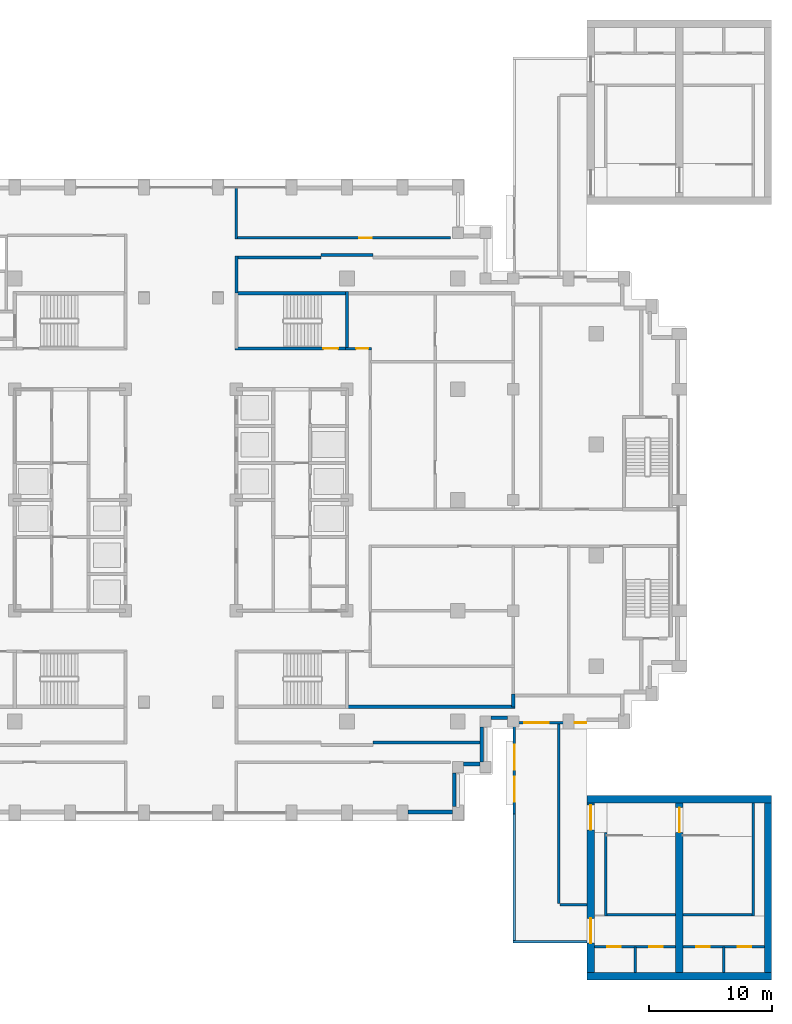
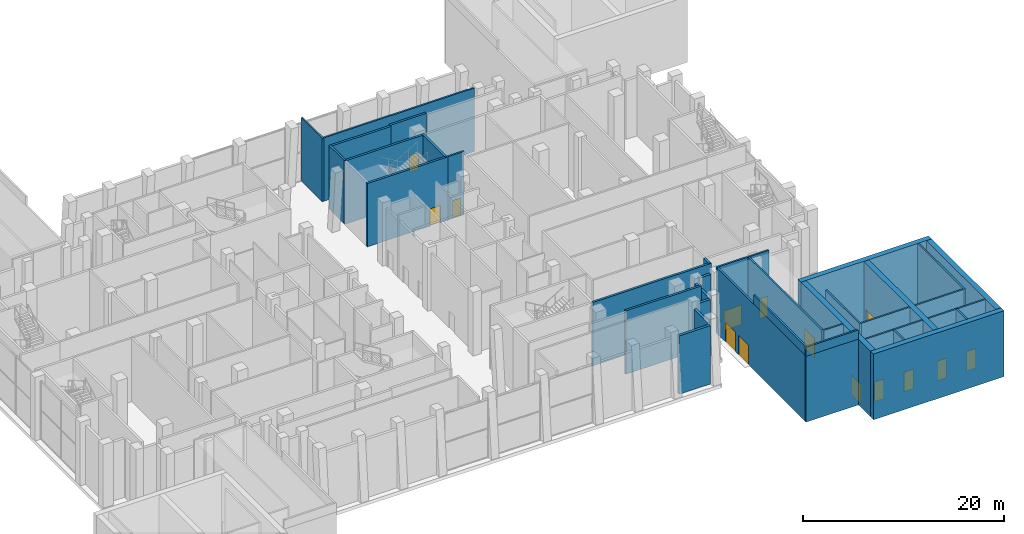
# One storey, part 14 of 24: 37 walls, 14 doors, 14 openings.
"""IFC4 building model written with IfcOpenShell, lengths in metres."""

from ifc_helpers import new_model, si_unit, direction, frame, frame_2d, origin, place, context, subcontext, project, spatial, rectangle, extrude, material, layer, layer_set, type_object, element, fill, save


model = new_model("IFC4")

# Units and contexts
model_context = context("Model", 3, precision=1e-05, world=origin(), true_north=direction((0.0, 1.0)))
body_context = subcontext(model_context, "Body", "Model", "MODEL_VIEW")
ifc_project = project(units=[si_unit("LENGTHUNIT", "METRE"), si_unit("AREAUNIT", "SQUARE_METRE"), si_unit("VOLUMEUNIT", "CUBIC_METRE"), si_unit("PLANEANGLEUNIT", "RADIAN"), si_unit("MASSUNIT", "GRAM", prefix="KILO")], contexts=[model_context])

# Site, building, storey
site_placement = place(None, origin())
site = spatial("IfcSite", under=ifc_project, at=site_placement, CompositionType="ELEMENT")
building_placement = place(site_placement, origin())
building = spatial("IfcBuilding", under=site, at=building_placement, Name="Corbelhall Arena Tower", CompositionType="ELEMENT")
storey_placement = place(building_placement, frame((0.0, 0.0, 60.0)))
storey = spatial("IfcBuildingStorey", under=building, at=storey_placement, Name="L08", CompositionType="ELEMENT", Elevation=60.0)

# Walls
ifc_material_1 = material(Name="Concrete C80/95", Category="concrete")
ifc_layer_1 = layer(ifc_material_1, 0.60009765625)
ifc_layer_set_1 = layer_set([ifc_layer_1], Name="AR-CORE-WALL-L08")
wall_type_1 = type_object("IfcWallType", Name="AR-CORE-WALL-L08", PredefinedType="SHEAR", material=ifc_layer_set_1)
for number, where, z_axis, x_axis, name in (
    (1, (33.0, -38.699951171875, 0.0), (0.0, 0.0, 1.0), (1.0, 0.0, 0.0), "Core SE wall"),
    (2, (33.0, -24.300048828125, 0.0), (0.0, 0.0, 1.0), (1.0, 0.0, 0.0), "Core SE wall"),
):
    element("IfcWall", number, at=place(storey_placement, frame(where, z_axis=z_axis, x_axis=x_axis)), inside=storey, type_object=wall_type_1, Name=name, PredefinedType="SHEAR", context=body_context, shape_type="SweptSolid", body=[
        extrude(rectangle(XDim=15.0, YDim=0.60009765625, at=frame_2d((7.5, 0.0))), origin(), (0.0, 0.0, 1.0), 8.0),
    ])

# Wall, openings, doors
wall_1_placement = place(storey_placement, frame((33.300048828125, -38.39990234375, 0.0), z_axis=(0.0, 0.0, 1.0), x_axis=(0.0, 1.0, 0.0)))
wall_1 = element("IfcWall", 3, at=wall_1_placement, inside=storey, type_object=wall_type_1, Name="Core SE wall", PredefinedType="SHEAR", context=body_context, shape_type="SweptSolid", body=[
    extrude(rectangle(XDim=13.7998046875, YDim=0.60009765625, at=frame_2d((6.89990234375, 0.0))), origin(), (0.0, 0.0, 1.0), 8.0),
])
opening_1_placement = place(wall_1_placement, frame((2.39990234375, 0.0, 0.0)))
opening_1 = element("IfcOpeningElement", 4, at=opening_1_placement, cuts=wall_1, Name="Opening DA0309", PredefinedType="OPENING", context=body_context, shape_type="SweptSolid", body=[
    extrude(rectangle(XDim=2.0, YDim=2.39990234375, at=frame_2d((1.0, 1.199951171875))), frame((0.0, 0.300048828125, 0.0), z_axis=(0.0, -1.0, 0.0), x_axis=(1.0, 0.0, 0.0)), (0.0, 0.0, 1.0), 0.60009765625),
])
opening_2_placement = place(wall_1_placement, frame((11.60009765625, 0.0, 0.0)))
opening_2 = element("IfcOpeningElement", 5, at=opening_2_placement, cuts=wall_1, Name="Opening DA0310", PredefinedType="OPENING", context=body_context, shape_type="SweptSolid", body=[
    extrude(rectangle(XDim=2.0, YDim=2.39990234375, at=frame_2d((1.0, 1.199951171875))), frame((0.0, 0.300048828125, 0.0), z_axis=(0.0, -1.0, 0.0), x_axis=(1.0, 0.0, 0.0)), (0.0, 0.0, 1.0), 0.60009765625),
])
ifc_material_2 = material(Name="Steel and glass", Category="steel")
door_type_1 = type_object("IfcDoorType", Name="AR-EXIT-DOOR", OperationType="DOUBLE_DOOR_SINGLE_SWING", PredefinedType="DOOR", material=ifc_material_2)
door_1_placement = place(opening_1_placement, origin())
door_1 = element("IfcDoor", 6, at=door_1_placement, inside=storey, type_object=door_type_1, Name="Core SE lobby door", OperationType="DOUBLE_DOOR_SINGLE_SWING", OverallHeight=2.39990234375, OverallWidth=2.0, PredefinedType="DOOR", context=body_context, shape_type="SweptSolid", body=[
    extrude(rectangle(XDim=2.0, YDim=2.39990234375, at=frame_2d((1.0, 1.199951171875))), frame((0.0, 0.02490234375, 0.0), z_axis=(0.0, -1.0, 0.0), x_axis=(1.0, 0.0, 0.0)), (0.0, 0.0, 1.0), 0.050048828125),
])
fill(opening_1, door_1)
door_2_placement = place(opening_2_placement, origin())
door_2 = element("IfcDoor", 7, at=door_2_placement, inside=storey, type_object=door_type_1, Name="Core SE stair door", OperationType="DOUBLE_DOOR_SINGLE_SWING", OverallHeight=2.39990234375, OverallWidth=2.0, PredefinedType="DOOR", context=body_context, shape_type="SweptSolid", body=[
    extrude(rectangle(XDim=2.0, YDim=2.39990234375, at=frame_2d((1.0, 1.199951171875))), frame((0.0, 0.02490234375, 0.0), z_axis=(0.0, -1.0, 0.0), x_axis=(1.0, 0.0, 0.0)), (0.0, 0.0, 1.0), 0.050048828125),
])
fill(opening_2, door_2)

# Wall
wall_2_placement = place(storey_placement, frame((47.699951171875, -38.39990234375, 0.0), z_axis=(0.0, 0.0, 1.0), x_axis=(0.0, 1.0, 0.0)))
element("IfcWall", 8, at=wall_2_placement, inside=storey, type_object=wall_type_1, Name="Core SE wall", PredefinedType="SHEAR", context=body_context, shape_type="SweptSolid", body=[
    extrude(rectangle(XDim=13.7998046875, YDim=0.60009765625, at=frame_2d((6.89990234375, 0.0))), origin(), (0.0, 0.0, 1.0), 8.0),
])

# Wall, opening, door
wall_3_placement = place(storey_placement, frame((40.5, -38.39990234375, 0.0), z_axis=(0.0, 0.0, 1.0), x_axis=(0.0, 1.0, 0.0)))
wall_3 = element("IfcWall", 9, at=wall_3_placement, inside=storey, type_object=wall_type_1, Name="Core SE wall", PredefinedType="SHEAR", context=body_context, shape_type="SweptSolid", body=[
    extrude(rectangle(XDim=13.7998046875, YDim=0.60009765625, at=frame_2d((6.89990234375, 0.0))), origin(), (0.0, 0.0, 1.0), 8.0),
])
opening_3_placement = place(wall_3_placement, frame((11.39990234375, 0.0, 0.0)))
opening_3 = element("IfcOpeningElement", 10, at=opening_3_placement, cuts=wall_3, Name="Opening DA0051", PredefinedType="OPENING", context=body_context, shape_type="SweptSolid", body=[
    extrude(rectangle(XDim=2.0, YDim=2.39990234375, at=frame_2d((1.0, 1.199951171875))), frame((0.0, 0.300048828125, 0.0), z_axis=(0.0, -1.0, 0.0), x_axis=(1.0, 0.0, 0.0)), (0.0, 0.0, 1.0), 0.60009765625),
])
door_3_placement = place(opening_3_placement, origin())
door_3 = element("IfcDoor", 11, at=door_3_placement, inside=storey, type_object=door_type_1, Name="Stair hall door SE", OperationType="DOUBLE_DOOR_SINGLE_SWING", OverallHeight=2.39990234375, OverallWidth=2.0, PredefinedType="DOOR", context=body_context, shape_type="SweptSolid", body=[
    extrude(rectangle(XDim=2.0, YDim=2.39990234375, at=frame_2d((1.0, 1.199951171875))), frame((0.0, 0.02490234375, 0.0), z_axis=(0.0, -1.0, 0.0), x_axis=(1.0, 0.0, 0.0)), (0.0, 0.0, 1.0), 0.050048828125),
])
fill(opening_3, door_3)

# Wall, openings, doors
ifc_material_3 = material(Name="Reinforced concrete C40/50", Category="concrete")
ifc_layer_2 = layer(ifc_material_3, 0.199951171875)
ifc_layer_set_2 = layer_set([ifc_layer_2], Name="AR-LINK-WALL")
wall_type_2 = type_object("IfcWallType", Name="AR-LINK-WALL", PredefinedType="SOLIDWALL", material=ifc_layer_set_2)
wall_4_placement = place(storey_placement, frame((27.10009765625, -35.89990234375, 0.0), z_axis=(0.0, 0.0, 1.0), x_axis=(0.0, 1.0, 0.0)))
wall_4 = element("IfcWall", 12, at=wall_4_placement, inside=storey, type_object=wall_type_2, Name="Gallery LK3 wall", PredefinedType="SOLIDWALL", context=body_context, shape_type="SweptSolid", body=[
    extrude(rectangle(XDim=17.7998046875, YDim=0.199951171875, at=frame_2d((8.89990234375, 0.0))), origin(), (0.0, 0.0, 1.0), 8.0),
])
opening_4_placement = place(wall_4_placement, frame((14.0, 0.0, 0.0)))
opening_4 = element("IfcOpeningElement", 13, at=opening_4_placement, cuts=wall_4, Name="Opening DA0307", PredefinedType="OPENING", context=body_context, shape_type="SweptSolid", body=[
    extrude(rectangle(XDim=2.0, YDim=2.39990234375, at=frame_2d((1.0, 1.199951171875))), frame((0.0, 0.10009765625, 0.0), z_axis=(0.0, -1.0, 0.0), x_axis=(1.0, 0.0, 0.0)), (0.0, 0.0, 1.0), 0.199951171875),
])
opening_5_placement = place(wall_4_placement, frame((11.39990234375, 0.0, 0.0)))
opening_5 = element("IfcOpeningElement", 14, at=opening_5_placement, cuts=wall_4, Name="Opening DA0308", PredefinedType="OPENING", context=body_context, shape_type="SweptSolid", body=[
    extrude(rectangle(XDim=2.0, YDim=2.39990234375, at=frame_2d((1.0, 1.199951171875))), frame((0.0, 0.10009765625, 0.0), z_axis=(0.0, -1.0, 0.0), x_axis=(1.0, 0.0, 0.0)), (0.0, 0.0, 1.0), 0.199951171875),
])
door_4_placement = place(opening_4_placement, origin())
door_4 = element("IfcDoor", 15, at=door_4_placement, inside=storey, type_object=door_type_1, Name="Gallery LK3 plate door 1", OperationType="DOUBLE_DOOR_SINGLE_SWING", OverallHeight=2.39990234375, OverallWidth=2.0, PredefinedType="DOOR", context=body_context, shape_type="SweptSolid", body=[
    extrude(rectangle(XDim=2.0, YDim=2.39990234375, at=frame_2d((1.0, 1.199951171875))), frame((0.0, 0.02490234375, 0.0), z_axis=(0.0, -1.0, 0.0), x_axis=(1.0, 0.0, 0.0)), (0.0, 0.0, 1.0), 0.050048828125),
])
fill(opening_4, door_4)
door_5_placement = place(opening_5_placement, origin())
door_5 = element("IfcDoor", 16, at=door_5_placement, inside=storey, type_object=door_type_1, Name="Gallery LK3 plate door 2", OperationType="DOUBLE_DOOR_SINGLE_SWING", OverallHeight=2.39990234375, OverallWidth=2.0, PredefinedType="DOOR", context=body_context, shape_type="SweptSolid", body=[
    extrude(rectangle(XDim=2.0, YDim=2.39990234375, at=frame_2d((1.0, 1.199951171875))), frame((0.0, 0.02490234375, 0.0), z_axis=(0.0, -1.0, 0.0), x_axis=(1.0, 0.0, 0.0)), (0.0, 0.0, 1.0), 0.050048828125),
])
fill(opening_5, door_5)

# Walls
wall_5_placement = place(storey_placement, frame((30.699951171875, -32.800048828125, 0.0), z_axis=(0.0, 0.0, 1.0), x_axis=(0.0, 1.0, 0.0)))
element("IfcWall", 17, at=wall_5_placement, inside=storey, type_object=wall_type_2, Name="Gallery LK3 wall", PredefinedType="SOLIDWALL", context=body_context, shape_type="SweptSolid", body=[
    extrude(rectangle(XDim=14.800048828125, YDim=0.199951171875, at=frame_2d((7.39990234375, 0.0))), origin(), (0.0, 0.0, 1.0), 8.0),
])
wall_6_placement = place(storey_placement, frame((30.800048828125, -32.89990234375, 0.0), z_axis=(0.0, 0.0, 1.0), x_axis=(1.0, 0.0, 0.0)))
element("IfcWall", 18, at=wall_6_placement, inside=storey, type_object=wall_type_2, Name="Gallery LK3 wall", PredefinedType="SOLIDWALL", context=body_context, shape_type="SweptSolid", body=[
    extrude(rectangle(XDim=2.199951171875, YDim=0.199951171875, at=frame_2d((1.10009765625, 0.0))), origin(), (0.0, 0.0, 1.0), 8.0),
])
wall_7_placement = place(storey_placement, frame((27.0, -35.89990234375, 0.0), z_axis=(0.0, 0.0, 1.0), x_axis=(1.0, 0.0, 0.0)))
element("IfcWall", 19, at=wall_7_placement, inside=storey, type_object=wall_type_2, Name="Gallery LK3 wall", PredefinedType="SOLIDWALL", context=body_context, shape_type="SweptSolid", body=[
    extrude(rectangle(XDim=6.0, YDim=0.199951171875, at=frame_2d((3.0, 0.0))), origin(), (0.0, 0.0, 1.0), 8.0),
])

# Wall, openings, doors
wall_8_placement = place(storey_placement, frame((27.0, -18.10009765625, 0.0), z_axis=(0.0, 0.0, 1.0), x_axis=(1.0, 0.0, 0.0)))
wall_8 = element("IfcWall", 20, at=wall_8_placement, inside=storey, type_object=wall_type_2, Name="Gallery LK3 end wall", PredefinedType="SOLIDWALL", context=body_context, shape_type="SweptSolid", body=[
    extrude(rectangle(XDim=6.0, YDim=0.199951171875, at=frame_2d((3.0, 0.0))), origin(), (0.0, 0.0, 1.0), 8.0),
])
opening_6_placement = place(wall_8_placement, frame((0.89990234375, 0.0, 0.0)))
opening_6 = element("IfcOpeningElement", 21, at=opening_6_placement, cuts=wall_8, Name="Opening DA0305", PredefinedType="OPENING", context=body_context, shape_type="SweptSolid", body=[
    extrude(rectangle(XDim=2.0, YDim=2.39990234375, at=frame_2d((1.0, 1.199951171875))), frame((0.0, 0.10009765625, 0.0), z_axis=(0.0, -1.0, 0.0), x_axis=(1.0, 0.0, 0.0)), (0.0, 0.0, 1.0), 0.199951171875),
])
opening_7_placement = place(wall_8_placement, frame((4.97998046875, 0.0, 0.0)))
opening_7 = element("IfcOpeningElement", 22, at=opening_7_placement, cuts=wall_8, Name="Opening DA0306", PredefinedType="OPENING", context=body_context, shape_type="SweptSolid", body=[
    extrude(rectangle(XDim=0.949951171875, YDim=2.39990234375, at=frame_2d((0.47509765625, 1.199951171875))), frame((0.0, 0.10009765625, 0.0), z_axis=(0.0, -1.0, 0.0), x_axis=(1.0, 0.0, 0.0)), (0.0, 0.0, 1.0), 0.199951171875),
])
door_6_placement = place(opening_6_placement, origin())
door_6 = element("IfcDoor", 23, at=door_6_placement, inside=storey, type_object=door_type_1, Name="Gallery LK3 public door", OperationType="DOUBLE_DOOR_SINGLE_SWING", OverallHeight=2.39990234375, OverallWidth=2.0, PredefinedType="DOOR", context=body_context, shape_type="SweptSolid", body=[
    extrude(rectangle(XDim=2.0, YDim=2.39990234375, at=frame_2d((1.0, 1.199951171875))), frame((0.0, 0.02490234375, 0.0), z_axis=(0.0, -1.0, 0.0), x_axis=(1.0, 0.0, 0.0)), (0.0, 0.0, 1.0), 0.050048828125),
])
fill(opening_6, door_6)
ifc_material_4 = material(Name="Steel door set", Category="steel")
door_type_2 = type_object("IfcDoorType", Name="AR-EXIT-DOOR-1", OperationType="SINGLE_SWING_LEFT", PredefinedType="DOOR", material=ifc_material_4)
door_7_placement = place(opening_7_placement, origin())
door_7 = element("IfcDoor", 24, at=door_7_placement, inside=storey, type_object=door_type_2, Name="Gallery LK3 exit door", OperationType="SINGLE_SWING_LEFT", OverallHeight=2.39990234375, OverallWidth=0.949951171875, PredefinedType="DOOR", context=body_context, shape_type="SweptSolid", body=[
    extrude(rectangle(XDim=0.949951171875, YDim=2.39990234375, at=frame_2d((0.47509765625, 1.199951171875))), frame((0.0, 0.02490234375, 0.0), z_axis=(0.0, -1.0, 0.0), x_axis=(1.0, 0.0, 0.0)), (0.0, 0.0, 1.0), 0.050048828125),
])
fill(opening_7, door_7)

# Walls
ifc_layer_3 = layer(ifc_material_3, 0.199951171875)
ifc_layer_set_3 = layer_set([ifc_layer_3], Name="AR-PARAPET")
wall_type_3 = type_object("IfcWallType", Name="AR-PARAPET", PredefinedType="PARAPET", material=ifc_layer_set_3)
wall_9_placement = place(storey_placement, frame((27.0, -35.89990234375, 8.0), z_axis=(0.0, 0.0, 1.0), x_axis=(1.0, 0.0, 0.0)))
element("IfcWall", 25, at=wall_9_placement, inside=storey, type_object=wall_type_3, Name="Gallery LK3 parapet", PredefinedType="PARAPET", context=body_context, shape_type="SweptSolid", body=[
    extrude(rectangle(XDim=6.0, YDim=0.199951171875, at=frame_2d((3.0, 0.0))), origin(), (0.0, 0.0, 1.0), 1.10009765625),
])
wall_10_placement = place(storey_placement, frame((27.10009765625, -35.800048828125, 8.0), z_axis=(0.0, 0.0, 1.0), x_axis=(0.0, 1.0, 0.0)))
element("IfcWall", 26, at=wall_10_placement, inside=storey, type_object=wall_type_3, Name="Gallery LK3 parapet", PredefinedType="PARAPET", context=body_context, shape_type="SweptSolid", body=[
    extrude(rectangle(XDim=10.300048828125, YDim=0.199951171875, at=frame_2d((5.14990234375, 0.0))), origin(), (0.0, 0.0, 1.0), 1.10009765625),
])

# Wall, openings, doors
ifc_layer_4 = layer(ifc_material_3, 0.199951171875)
ifc_layer_set_4 = layer_set([ifc_layer_4], Name="AR-SHAFT-WALL")
wall_type_4 = type_object("IfcWallType", Name="AR-SHAFT-WALL", PredefinedType="SHEAR", material=ifc_layer_set_4)
wall_11_placement = place(storey_placement, frame((33.60009765625, -36.300048828125, 0.0), z_axis=(0.0, 0.0, 1.0), x_axis=(1.0, 0.0, 0.0)))
wall_11 = element("IfcWall", 27, at=wall_11_placement, inside=storey, type_object=wall_type_4, Name="Lift lobby wall SE", PredefinedType="SHEAR", context=body_context, shape_type="SweptSolid", body=[
    extrude(rectangle(XDim=6.599853515625, YDim=0.199951171875, at=frame_2d((3.2998046875, 0.0))), origin(), (0.0, 0.0, 1.0), 8.0),
])
opening_8_placement = place(wall_11_placement, frame((1.050048828125, 0.0, 0.0)))
opening_8 = element("IfcOpeningElement", 28, at=opening_8_placement, cuts=wall_11, Name="Opening LD0245", PredefinedType="OPENING", context=body_context, shape_type="SweptSolid", body=[
    extrude(rectangle(XDim=1.10009765625, YDim=2.39990234375, at=frame_2d((0.550048828125, 1.199951171875))), frame((0.0, 0.10009765625, 0.0), z_axis=(0.0, -1.0, 0.0), x_axis=(1.0, 0.0, 0.0)), (0.0, 0.0, 1.0), 0.199951171875),
])
opening_9_placement = place(wall_11_placement, frame((4.449951171875, 0.0, 0.0)))
opening_9 = element("IfcOpeningElement", 29, at=opening_9_placement, cuts=wall_11, Name="Opening LD0246", PredefinedType="OPENING", context=body_context, shape_type="SweptSolid", body=[
    extrude(rectangle(XDim=1.10009765625, YDim=2.39990234375, at=frame_2d((0.550048828125, 1.199951171875))), frame((0.0, 0.10009765625, 0.0), z_axis=(0.0, -1.0, 0.0), x_axis=(1.0, 0.0, 0.0)), (0.0, 0.0, 1.0), 0.199951171875),
])
ifc_material_5 = material(Name="Stainless steel A4", Category="steel")
door_type_3 = type_object("IfcDoorType", Name="AR-LANDING-DOOR", OperationType="DOUBLE_DOOR_SLIDING", PredefinedType="DOOR", material=ifc_material_5)
door_8_placement = place(opening_8_placement, frame((1.10009765625, 0.0, 0.0), z_axis=(0.0, 0.0, 1.0), x_axis=(-1.0, 0.0, 0.0)))
door_8 = element("IfcDoor", 30, at=door_8_placement, inside=storey, type_object=door_type_3, Name="Landing door SE LF1 L08", OperationType="DOUBLE_DOOR_SLIDING", OverallHeight=2.39990234375, OverallWidth=1.10009765625, PredefinedType="DOOR", context=body_context, shape_type="SweptSolid", body=[
    extrude(rectangle(XDim=1.10009765625, YDim=2.39990234375, at=frame_2d((0.550048828125, 1.199951171875))), frame((0.0, 0.02490234375, 0.0), z_axis=(0.0, -1.0, 0.0), x_axis=(1.0, 0.0, 0.0)), (0.0, 0.0, 1.0), 0.050048828125),
])
fill(opening_8, door_8)
door_9_placement = place(opening_9_placement, frame((1.10009765625, 0.0, 0.0), z_axis=(0.0, 0.0, 1.0), x_axis=(-1.0, 0.0, 0.0)))
door_9 = element("IfcDoor", 31, at=door_9_placement, inside=storey, type_object=door_type_3, Name="Landing door SE LF2 L08", OperationType="DOUBLE_DOOR_SLIDING", OverallHeight=2.39990234375, OverallWidth=1.10009765625, PredefinedType="DOOR", context=body_context, shape_type="SweptSolid", body=[
    extrude(rectangle(XDim=1.10009765625, YDim=2.39990234375, at=frame_2d((0.550048828125, 1.199951171875))), frame((0.0, 0.02490234375, 0.0), z_axis=(0.0, -1.0, 0.0), x_axis=(1.0, 0.0, 0.0)), (0.0, 0.0, 1.0), 0.050048828125),
])
fill(opening_9, door_9)

wall_12_placement = place(storey_placement, frame((40.800048828125, -36.300048828125, 0.0), z_axis=(0.0, 0.0, 1.0), x_axis=(1.0, 0.0, 0.0)))
wall_12 = element("IfcWall", 32, at=wall_12_placement, inside=storey, type_object=wall_type_4, Name="Lift lobby wall SE", PredefinedType="SHEAR", context=body_context, shape_type="SweptSolid", body=[
    extrude(rectangle(XDim=6.599853515625, YDim=0.199951171875, at=frame_2d((3.2998046875, 0.0))), origin(), (0.0, 0.0, 1.0), 8.0),
])
opening_10_placement = place(wall_12_placement, frame((1.050048828125, 0.0, 0.0)))
opening_10 = element("IfcOpeningElement", 33, at=opening_10_placement, cuts=wall_12, Name="Opening LD0247", PredefinedType="OPENING", context=body_context, shape_type="SweptSolid", body=[
    extrude(rectangle(XDim=1.10009765625, YDim=2.39990234375, at=frame_2d((0.550048828125, 1.199951171875))), frame((0.0, 0.10009765625, 0.0), z_axis=(0.0, -1.0, 0.0), x_axis=(1.0, 0.0, 0.0)), (0.0, 0.0, 1.0), 0.199951171875),
])
opening_11_placement = place(wall_12_placement, frame((4.449951171875, 0.0, 0.0)))
opening_11 = element("IfcOpeningElement", 34, at=opening_11_placement, cuts=wall_12, Name="Opening LD0248", PredefinedType="OPENING", context=body_context, shape_type="SweptSolid", body=[
    extrude(rectangle(XDim=1.10009765625, YDim=2.39990234375, at=frame_2d((0.550048828125, 1.199951171875))), frame((0.0, 0.10009765625, 0.0), z_axis=(0.0, -1.0, 0.0), x_axis=(1.0, 0.0, 0.0)), (0.0, 0.0, 1.0), 0.199951171875),
])
door_10_placement = place(opening_10_placement, frame((1.10009765625, 0.0, 0.0), z_axis=(0.0, 0.0, 1.0), x_axis=(-1.0, 0.0, 0.0)))
door_10 = element("IfcDoor", 35, at=door_10_placement, inside=storey, type_object=door_type_3, Name="Landing door SE LF3 L08", OperationType="DOUBLE_DOOR_SLIDING", OverallHeight=2.39990234375, OverallWidth=1.10009765625, PredefinedType="DOOR", context=body_context, shape_type="SweptSolid", body=[
    extrude(rectangle(XDim=1.10009765625, YDim=2.39990234375, at=frame_2d((0.550048828125, 1.199951171875))), frame((0.0, 0.02490234375, 0.0), z_axis=(0.0, -1.0, 0.0), x_axis=(1.0, 0.0, 0.0)), (0.0, 0.0, 1.0), 0.050048828125),
])
fill(opening_10, door_10)
door_11_placement = place(opening_11_placement, frame((1.10009765625, 0.0, 0.0), z_axis=(0.0, 0.0, 1.0), x_axis=(-1.0, 0.0, 0.0)))
door_11 = element("IfcDoor", 36, at=door_11_placement, inside=storey, type_object=door_type_3, Name="Landing door SE LF4 L08", OperationType="DOUBLE_DOOR_SLIDING", OverallHeight=2.39990234375, OverallWidth=1.10009765625, PredefinedType="DOOR", context=body_context, shape_type="SweptSolid", body=[
    extrude(rectangle(XDim=1.10009765625, YDim=2.39990234375, at=frame_2d((0.550048828125, 1.199951171875))), frame((0.0, 0.02490234375, 0.0), z_axis=(0.0, -1.0, 0.0), x_axis=(1.0, 0.0, 0.0)), (0.0, 0.0, 1.0), 0.050048828125),
])
fill(opening_11, door_11)

# Walls
for number, where, z_axis, x_axis, name in (
    (37, (36.89990234375, -38.39990234375, 0.0), (0.0, 0.0, 1.0), (0.0, 1.0, 0.0), "Shaft wall SE"),
    (38, (44.10009765625, -38.39990234375, 0.0), (0.0, 0.0, 1.0), (0.0, 1.0, 0.0), "Shaft wall SE"),
):
    element("IfcWall", number, at=place(storey_placement, frame(where, z_axis=z_axis, x_axis=x_axis)), inside=storey, type_object=wall_type_4, Name=name, PredefinedType="SHEAR", context=body_context, shape_type="SweptSolid", body=[
        extrude(rectangle(XDim=2.099853515625, YDim=0.199951171875, at=frame_2d((1.0498046875, 0.0))), origin(), (0.0, 0.0, 1.0), 8.0),
    ])
ifc_layer_5 = layer(ifc_material_3, 0.199951171875)
ifc_layer_set_5 = layer_set([ifc_layer_5], Name="AR-STAIR-WALL")
wall_type_5 = type_object("IfcWallType", Name="AR-STAIR-WALL", PredefinedType="SOLIDWALL", material=ifc_layer_set_5)
wall_13_placement = place(storey_placement, frame((34.510009765625, -33.800048828125, 0.0), z_axis=(0.0, 0.0, 1.0), x_axis=(0.0, 1.0, 0.0)))
element("IfcWall", 39, at=wall_13_placement, inside=storey, type_object=wall_type_5, Name="Stair AS5 wall", PredefinedType="SOLIDWALL", context=body_context, shape_type="SweptSolid", body=[
    extrude(rectangle(XDim=6.800048828125, YDim=0.199951171875, at=frame_2d((3.39990234375, 0.0))), origin(), (0.0, 0.0, 1.0), 8.0),
])
wall_14_placement = place(storey_placement, frame((34.610107421875, -33.699951171875, 0.0), z_axis=(0.0, 0.0, 1.0), x_axis=(1.0, 0.0, 0.0)))
element("IfcWall", 40, at=wall_14_placement, inside=storey, type_object=wall_type_5, Name="Stair AS5 wall", PredefinedType="SOLIDWALL", context=body_context, shape_type="SweptSolid", body=[
    extrude(rectangle(XDim=5.58984375, YDim=0.199951171875, at=frame_2d((2.794921875, 0.0))), origin(), (0.0, 0.0, 1.0), 8.0),
])
wall_15_placement = place(storey_placement, frame((46.489990234375, -33.800048828125, 0.0), z_axis=(0.0, 0.0, 1.0), x_axis=(0.0, 1.0, 0.0)))
element("IfcWall", 41, at=wall_15_placement, inside=storey, type_object=wall_type_5, Name="Stair AS6 wall", PredefinedType="SOLIDWALL", context=body_context, shape_type="SweptSolid", body=[
    extrude(rectangle(XDim=9.199951171875, YDim=0.199951171875, at=frame_2d((4.60009765625, 0.0))), origin(), (0.0, 0.0, 1.0), 8.0),
])
wall_16_placement = place(storey_placement, frame((40.800048828125, -33.699951171875, 0.0), z_axis=(0.0, 0.0, 1.0), x_axis=(1.0, 0.0, 0.0)))
element("IfcWall", 42, at=wall_16_placement, inside=storey, type_object=wall_type_5, Name="Stair AS6 wall", PredefinedType="SOLIDWALL", context=body_context, shape_type="SweptSolid", body=[
    extrude(rectangle(XDim=5.58984375, YDim=0.199951171875, at=frame_2d((2.794921875, 0.0))), origin(), (0.0, 0.0, 1.0), 8.0),
])
ifc_material_6 = material(Name="Precast concrete C40/50 with granite facing", Category="masonry")
ifc_layer_6 = layer(ifc_material_6, 0.300048828125)
ifc_layer_set_6 = layer_set([ifc_layer_6], Name="EV-IW1 Infill panel 300")
wall_type_6 = type_object("IfcWallType", Name="EV-IW1 Infill panel 300", PredefinedType="SOLIDWALL", material=ifc_layer_set_6)
wall_17_placement = place(storey_placement, frame((18.449951171875, -25.35009765625, 0.0), z_axis=(0.0, 0.0, 1.0), x_axis=(1.0, 0.0, 0.0)))
element("IfcWall", 43, at=wall_17_placement, inside=storey, type_object=wall_type_6, Name="Infill panel IW1", PredefinedType="SOLIDWALL", context=body_context, shape_type="SweptSolid", body=[
    extrude(rectangle(XDim=3.60009765625, YDim=0.300048828125, at=frame_2d((1.800048828125, 0.0))), origin(), (0.0, 0.0, 1.0), 7.10009765625),
])
wall_18_placement = place(storey_placement, frame((22.199951171875, -24.89990234375, 0.0), z_axis=(0.0, 0.0, 1.0), x_axis=(0.0, 1.0, 0.0)))
element("IfcWall", 44, at=wall_18_placement, inside=storey, type_object=wall_type_6, Name="Infill panel IW1", PredefinedType="SOLIDWALL", context=body_context, shape_type="SweptSolid", body=[
    extrude(rectangle(XDim=2.699951171875, YDim=0.300048828125, at=frame_2d((1.35009765625, 0.0))), origin(), (0.0, 0.0, 1.0), 7.10009765625),
])
wall_19_placement = place(storey_placement, frame((22.949951171875, -21.449951171875, 0.0), z_axis=(0.0, 0.0, 1.0), x_axis=(1.0, 0.0, 0.0)))
element("IfcWall", 45, at=wall_19_placement, inside=storey, type_object=wall_type_6, Name="Infill panel IW1", PredefinedType="SOLIDWALL", context=body_context, shape_type="SweptSolid", body=[
    extrude(rectangle(XDim=1.35009765625, YDim=0.300048828125, at=frame_2d((0.675048828125, 0.0))), origin(), (0.0, 0.0, 1.0), 7.10009765625),
])
wall_20_placement = place(storey_placement, frame((24.449951171875, -21.300048828125, 0.0), z_axis=(0.0, 0.0, 1.0), x_axis=(0.0, 1.0, 0.0)))
element("IfcWall", 46, at=wall_20_placement, inside=storey, type_object=wall_type_6, Name="Infill panel IW1", PredefinedType="SOLIDWALL", context=body_context, shape_type="SweptSolid", body=[
    extrude(rectangle(XDim=2.85009765625, YDim=0.300048828125, at=frame_2d((1.425048828125, 0.0))), origin(), (0.0, 0.0, 1.0), 7.10009765625),
])
wall_21_placement = place(storey_placement, frame((25.199951171875, -17.699951171875, 0.0), z_axis=(0.0, 0.0, 1.0), x_axis=(1.0, 0.0, 0.0)))
element("IfcWall", 47, at=wall_21_placement, inside=storey, type_object=wall_type_6, Name="Infill panel IW1", PredefinedType="SOLIDWALL", context=body_context, shape_type="SweptSolid", body=[
    extrude(rectangle(XDim=1.35009765625, YDim=0.300048828125, at=frame_2d((0.675048828125, 0.0))), origin(), (0.0, 0.0, 1.0), 7.10009765625),
])

# Wall, opening, door
ifc_material_7 = material(Name="Gypsum board on steel stud, acoustic", Category="steel")
ifc_layer_7 = layer(ifc_material_7, 0.199951171875)
ifc_layer_set_7 = layer_set([ifc_layer_7], Name="IN-W-DM200")
wall_type_7 = type_object("IfcWallType", Name="IN-W-DM200", PredefinedType="PARTITIONING", material=ifc_layer_set_7)
wall_22_placement = place(storey_placement, frame((4.5, 21.300048828125, 0.0), z_axis=(0.0, 0.0, 1.0), x_axis=(1.0, 0.0, 0.0)))
wall_22 = element("IfcWall", 48, at=wall_22_placement, inside=storey, type_object=wall_type_7, Name="Partition 019", PredefinedType="PARTITIONING", context=body_context, shape_type="SweptSolid", body=[
    extrude(rectangle(XDim=17.39990234375, YDim=0.199951171875, at=frame_2d((8.699951171875, 0.0))), origin(), (0.0, 0.0, 1.0), 7.699951171875),
])
opening_12_placement = place(wall_22_placement, frame((10.0, 0.0, 0.0)))
opening_12 = element("IfcOpeningElement", 49, at=opening_12_placement, cuts=wall_22, Name="Opening 25021", PredefinedType="OPENING", context=body_context, shape_type="SweptSolid", body=[
    extrude(rectangle(XDim=1.0, YDim=2.10009765625, at=frame_2d((0.5, 1.050048828125))), frame((0.0, 0.10009765625, 0.0), z_axis=(0.0, -1.0, 0.0), x_axis=(1.0, 0.0, 0.0)), (0.0, 0.0, 1.0), 0.199951171875),
])
door_type_4 = type_object("IfcDoorType", Name="IN-D-SW100", OperationType="NOTDEFINED", PredefinedType="DOOR", material=ifc_material_4)
door_12_placement = place(opening_12_placement, origin())
door_12 = element("IfcDoor", 50, at=door_12_placement, inside=storey, type_object=door_type_4, Name="Door 021", OperationType="SINGLE_SWING_RIGHT", OverallHeight=2.10009765625, OverallWidth=1.0, PredefinedType="DOOR", context=body_context, shape_type="SweptSolid", body=[
    extrude(rectangle(XDim=1.0, YDim=2.10009765625, at=frame_2d((0.5, 1.050048828125))), frame((0.0, 0.02490234375, 0.0), z_axis=(0.0, -1.0, 0.0), x_axis=(1.0, 0.0, 0.0)), (0.0, 0.0, 1.0), 0.050048828125),
])
fill(opening_12, door_12)

# Wall
wall_23_placement = place(storey_placement, frame((4.5, 25.385986328125, 0.0), z_axis=(0.0, 0.0, 1.0), x_axis=(0.0, -1.0, 0.0)))
element("IfcWall", 51, at=wall_23_placement, inside=storey, type_object=wall_type_7, Name="Partition 020", PredefinedType="PARTITIONING", context=body_context, shape_type="SweptSolid", body=[
    extrude(rectangle(XDim=4.18603515625, YDim=0.199951171875, at=frame_2d((2.093017578125, 0.0))), origin(), (0.0, 0.0, 1.0), 7.699951171875),
])

# Wall, opening, door
wall_24_placement = place(storey_placement, frame((13.375, 12.300048828125, 0.0), z_axis=(0.0, 0.0, 1.0), x_axis=(1.0, 0.0, 0.0)))
wall_24 = element("IfcWall", 52, at=wall_24_placement, inside=storey, type_object=wall_type_7, Name="Partition 021", PredefinedType="PARTITIONING", context=body_context, shape_type="SweptSolid", body=[
    extrude(rectangle(XDim=2.125, YDim=0.199951171875, at=frame_2d((1.0625, 0.0))), origin(), (0.0, 0.0, 1.0), 7.699951171875),
])
opening_13_placement = place(wall_24_placement, frame((0.85009765625, 0.0, 0.0)))
opening_13 = element("IfcOpeningElement", 53, at=opening_13_placement, cuts=wall_24, Name="Opening 25032", PredefinedType="OPENING", context=body_context, shape_type="SweptSolid", body=[
    extrude(rectangle(XDim=1.0, YDim=2.10009765625, at=frame_2d((0.5, 1.050048828125))), frame((0.0, 0.10009765625, 0.0), z_axis=(0.0, -1.0, 0.0), x_axis=(1.0, 0.0, 0.0)), (0.0, 0.0, 1.0), 0.199951171875),
])
door_13_placement = place(opening_13_placement, origin())
door_13 = element("IfcDoor", 54, at=door_13_placement, inside=storey, type_object=door_type_4, Name="Door 032", OperationType="SINGLE_SWING_LEFT", OverallHeight=2.10009765625, OverallWidth=1.0, PredefinedType="DOOR", context=body_context, shape_type="SweptSolid", body=[
    extrude(rectangle(XDim=1.0, YDim=2.10009765625, at=frame_2d((0.5, 1.050048828125))), frame((0.0, 0.02490234375, 0.0), z_axis=(0.0, -1.0, 0.0), x_axis=(1.0, 0.0, 0.0)), (0.0, 0.0, 1.0), 0.050048828125),
])
fill(opening_13, door_13)

# Walls
ifc_material_8 = material(Name="Concrete C40/50", Category="concrete")
ifc_layer_8 = layer(ifc_material_8, 0.25)
ifc_layer_set_8 = layer_set([ifc_layer_8], Name="IN-W-SH250")
wall_type_8 = type_object("IfcWallType", Name="IN-W-SH250", PredefinedType="SOLIDWALL", material=ifc_layer_set_8)
wall_25_placement = place(storey_placement, frame((4.5, 16.800048828125, 0.0), z_axis=(0.0, 0.0, 1.0), x_axis=(0.0, 1.0, 0.0)))
element("IfcWall", 55, at=wall_25_placement, inside=storey, type_object=wall_type_8, Name="Shaft wall 074", PredefinedType="SOLIDWALL", context=body_context, shape_type="SweptSolid", body=[
    extrude(rectangle(XDim=3.034912109375, YDim=0.25, at=frame_2d((1.517578125, 0.0))), origin(), (0.0, 0.0, 1.0), 7.699951171875),
])
wall_26_placement = place(storey_placement, frame((4.5, 19.7099609375, 0.0), z_axis=(0.0, 0.0, 1.0), x_axis=(1.0, 0.0, 0.0)))
element("IfcWall", 56, at=wall_26_placement, inside=storey, type_object=wall_type_8, Name="Shaft wall 075", PredefinedType="SOLIDWALL", context=body_context, shape_type="SweptSolid", body=[
    extrude(rectangle(XDim=6.89990234375, YDim=0.25, at=frame_2d((3.449951171875, 0.0))), origin(), (0.0, 0.0, 1.0), 7.699951171875),
])
wall_27_placement = place(storey_placement, frame((11.39990234375, 19.909912109375, 0.0), z_axis=(0.0, 0.0, 1.0), x_axis=(1.0, 0.0, 0.0)))
element("IfcWall", 57, at=wall_27_placement, inside=storey, type_object=wall_type_8, Name="Shaft wall 082", PredefinedType="SOLIDWALL", context=body_context, shape_type="SweptSolid", body=[
    extrude(rectangle(XDim=4.2001953125, YDim=0.25, at=frame_2d((2.10009765625, 0.0))), origin(), (0.0, 0.0, 1.0), 7.699951171875),
])
wall_28_placement = place(storey_placement, frame((13.5, -16.800048828125, 0.0), z_axis=(0.0, 0.0, 1.0), x_axis=(1.0, 0.0, 0.0)))
element("IfcWall", 58, at=wall_28_placement, inside=storey, type_object=wall_type_8, Name="Shaft wall 083", PredefinedType="SOLIDWALL", context=body_context, shape_type="SweptSolid", body=[
    extrude(rectangle(XDim=13.625, YDim=0.25, at=frame_2d((6.8125, 0.0))), origin(), (0.0, 0.0, 1.0), 7.699951171875),
])
wall_29_placement = place(storey_placement, frame((24.300048828125, -19.7099609375, 0.0), z_axis=(0.0, 0.0, 1.0), x_axis=(-1.0, 0.0, 0.0)))
element("IfcWall", 59, at=wall_29_placement, inside=storey, type_object=wall_type_8, Name="Shaft wall 088", PredefinedType="SOLIDWALL", context=body_context, shape_type="SweptSolid", body=[
    extrude(rectangle(XDim=8.699951171875, YDim=0.25, at=frame_2d((4.35009765625, 0.0))), origin(), (0.0, 0.0, 1.0), 7.699951171875),
])
wall_30_placement = place(storey_placement, frame((27.0, -16.800048828125, 0.0), z_axis=(0.0, 0.0, 1.0), x_axis=(0.0, 1.0, 0.0)))
element("IfcWall", 60, at=wall_30_placement, inside=storey, type_object=wall_type_8, Name="Shaft wall 089", PredefinedType="SOLIDWALL", context=body_context, shape_type="SweptSolid", body=[
    extrude(rectangle(XDim=1.025146484375, YDim=0.25, at=frame_2d((0.5126953125, 0.0))), origin(), (0.0, 0.0, 1.0), 7.699951171875),
])

# Wall, opening, door
ifc_layer_9 = layer(ifc_material_8, 0.25)
ifc_layer_set_9 = layer_set([ifc_layer_9], Name="IN-W-ST250")
wall_type_9 = type_object("IfcWallType", Name="IN-W-ST250", PredefinedType="SOLIDWALL", material=ifc_layer_set_9)
wall_31_placement = place(storey_placement, frame((4.375, 12.300048828125, 0.0), z_axis=(0.0, 0.0, 1.0), x_axis=(1.0, 0.0, 0.0)))
wall_31 = element("IfcWall", 61, at=wall_31_placement, inside=storey, type_object=wall_type_9, Name="Shaft wall 109", PredefinedType="SOLIDWALL", context=body_context, shape_type="SweptSolid", body=[
    extrude(rectangle(XDim=9.25, YDim=0.25, at=frame_2d((4.625, 0.0))), origin(), (0.0, 0.0, 1.0), 7.699951171875),
])
opening_14_placement = place(wall_31_placement, frame((7.199951171875, 0.0, 0.0)))
opening_14 = element("IfcOpeningElement", 62, at=opening_14_placement, cuts=wall_31, Name="Opening 25014", PredefinedType="OPENING", context=body_context, shape_type="SweptSolid", body=[
    extrude(rectangle(XDim=1.199951171875, YDim=2.10009765625, at=frame_2d((0.60009765625, 1.050048828125))), frame((0.0, 0.125, 0.0), z_axis=(0.0, -1.0, 0.0), x_axis=(1.0, 0.0, 0.0)), (0.0, 0.0, 1.0), 0.25),
])
door_type_5 = type_object("IfcDoorType", Name="IN-D-ST120", OperationType="NOTDEFINED", PredefinedType="DOOR", material=ifc_material_4)
door_14_placement = place(opening_14_placement, origin())
door_14 = element("IfcDoor", 63, at=door_14_placement, inside=storey, type_object=door_type_5, Name="Door 014", OperationType="SINGLE_SWING_LEFT", OverallHeight=2.10009765625, OverallWidth=1.199951171875, PredefinedType="DOOR", context=body_context, shape_type="SweptSolid", body=[
    extrude(rectangle(XDim=1.199951171875, YDim=2.10009765625, at=frame_2d((0.60009765625, 1.050048828125))), frame((0.0, 0.02490234375, 0.0), z_axis=(0.0, -1.0, 0.0), x_axis=(1.0, 0.0, 0.0)), (0.0, 0.0, 1.0), 0.050048828125),
])
fill(opening_14, door_14)

# Walls
wall_32_placement = place(storey_placement, frame((4.375, 16.800048828125, 0.0), z_axis=(0.0, 0.0, 1.0), x_axis=(1.0, 0.0, 0.0)))
element("IfcWall", 64, at=wall_32_placement, inside=storey, type_object=wall_type_9, Name="Shaft wall 110", PredefinedType="SOLIDWALL", context=body_context, shape_type="SweptSolid", body=[
    extrude(rectangle(XDim=9.25, YDim=0.25, at=frame_2d((4.625, 0.0))), origin(), (0.0, 0.0, 1.0), 7.699951171875),
])
wall_33_placement = place(storey_placement, frame((13.5, 16.925048828125, 0.0), z_axis=(0.0, 0.0, 1.0), x_axis=(0.0, -1.0, 0.0)))
element("IfcWall", 65, at=wall_33_placement, inside=storey, type_object=wall_type_9, Name="Shaft wall 114", PredefinedType="SOLIDWALL", context=body_context, shape_type="SweptSolid", body=[
    extrude(rectangle(XDim=4.625, YDim=0.25, at=frame_2d((2.3125, 0.0))), origin(), (0.0, 0.0, 1.0), 7.699951171875),
])

save(model, "model.ifc")
